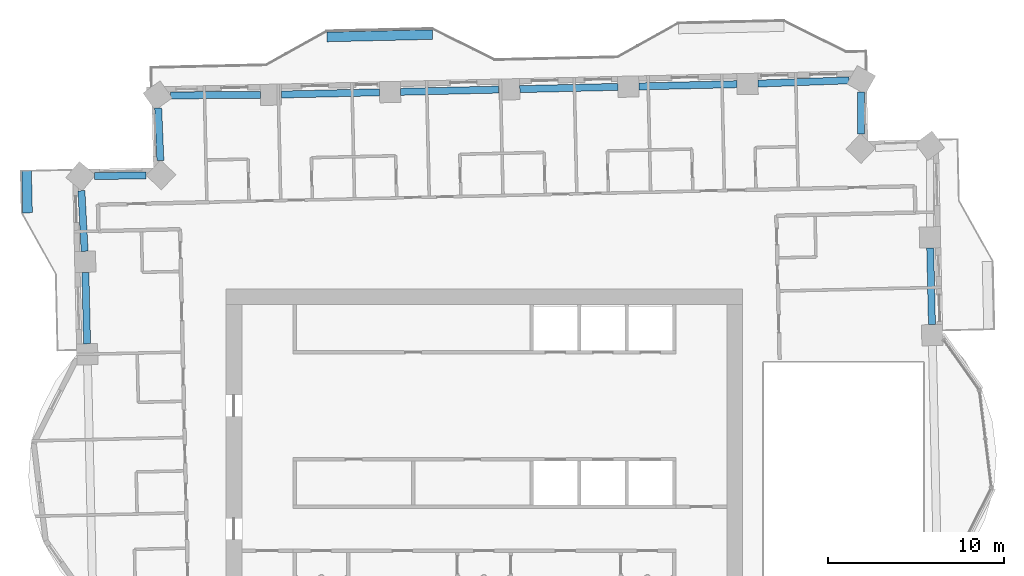
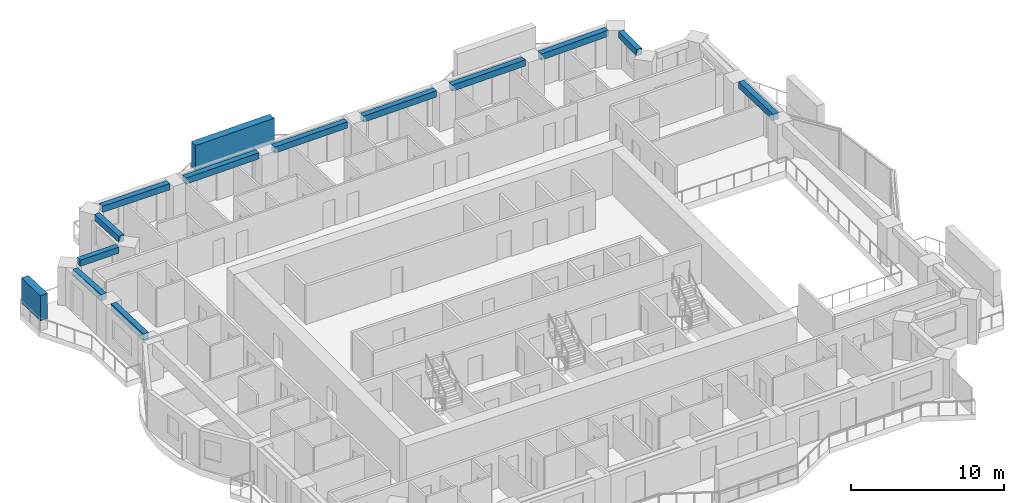
# One storey, part 3 of 16: 12 beams, 2 members.
"""IFC4 building model written with IfcOpenShell, lengths in metres."""

from ifc_helpers import new_model, si_unit, direction, frame, origin, origin_2d, place, context, subcontext, project, spatial, rectangle, extrude, material, material_profile, profile_set, type_object, element, save


model = new_model("IFC4")

# Units and contexts
model_context = context("Model", 3, precision=1e-05, world=origin(), true_north=direction((0.0, 1.0)))
body_context = subcontext(model_context, "Body", "Model", "MODEL_VIEW")
ifc_project = project(units=[si_unit("LENGTHUNIT", "METRE"), si_unit("AREAUNIT", "SQUARE_METRE"), si_unit("VOLUMEUNIT", "CUBIC_METRE"), si_unit("PLANEANGLEUNIT", "RADIAN"), si_unit("MASSUNIT", "GRAM", prefix="KILO")], contexts=[model_context])

# Site, building, storey
site_placement = place(None, origin())
site = spatial("IfcSite", under=ifc_project, at=site_placement, CompositionType="ELEMENT")
building_placement = place(site_placement, origin())
building = spatial("IfcBuilding", under=site, at=building_placement, Name="Mangrove Gate Tower", CompositionType="ELEMENT")
storey_placement = place(building_placement, frame((0.0, 0.0, 189.699951171875)))
storey = spatial("IfcBuildingStorey", under=building, at=storey_placement, Name="L48", CompositionType="ELEMENT", Elevation=189.699951171875)

# Members
ifc_material_1 = material(Name="Planting on aluminium trellis", Category="aluminium")
ifc_material_profile_1 = material_profile(ifc_material_1, rectangle(XDim=0.550048828125, YDim=2.0, at=origin_2d()))
ifc_profile_set_1 = profile_set([ifc_material_profile_1], Name="Planting on aluminium trellis")
member_type = type_object("IfcMemberType", Name="Balcony greenery screen 550x2000", PredefinedType="USERDEFINED", material=ifc_profile_set_1)
member_1_placement = place(storey_placement, frame((-8.9560546875, 26.031982421875, 1.800048828125), z_axis=(0.999743094499, 0.022665943652, 0.0), x_axis=(-0.022665943652, 0.999743094499, 0.0)))
element("IfcMember", 1, at=member_1_placement, inside=storey, type_object=member_type, Name="GREEN SCREEN L48 N1.1", ObjectType="PLANTING", PredefinedType="USERDEFINED", context=body_context, shape_type="SweptSolid", body=[
    extrude(rectangle(XDim=0.550048828125, YDim=2.0, at=origin_2d()), origin(), (0.0, 0.0, 1.0), 5.99951171875),
])
member_2_placement = place(storey_placement, frame((-25.988037109375, 16.028076171875, 1.800048828125), z_axis=(-0.022892431828, 0.999737933943, 0.0), x_axis=(-0.999737933943, -0.022892431828, 0.0)))
element("IfcMember", 2, at=member_2_placement, inside=storey, type_object=member_type, Name="GREEN SCREEN L48 W0.1", ObjectType="PLANTING", PredefinedType="USERDEFINED", context=body_context, shape_type="SweptSolid", body=[
    extrude(rectangle(XDim=0.550048828125, YDim=2.0, at=origin_2d()), origin(), (0.0, 0.0, 1.0), 2.399658203125),
])

# Beams
ifc_material_2 = material(Name="Concrete C50/60", Category="concrete")
ifc_material_profile_2 = material_profile(ifc_material_2, rectangle(XDim=0.39990234375, YDim=0.5, at=origin_2d()))
ifc_profile_set_2 = profile_set([ifc_material_profile_2], Name="Concrete C50/60")
beam_type = type_object("IfcBeamType", Name="Edge beam RC 400x500 C50/60", PredefinedType="BEAM", material=ifc_profile_set_2)
beam_1_placement = place(storey_placement, frame((25.46435546875, 9.669189453125, 2.800048828125), z_axis=(-0.022838386415, 0.999739170037, 0.0), x_axis=(-0.999739170037, -0.022838386415, 0.0)))
element("IfcBeam", 3, at=beam_1_placement, inside=storey, type_object=beam_type, Name="Edge beam L48 15", PredefinedType="BEAM", context=body_context, shape_type="SweptSolid", body=[
    extrude(rectangle(XDim=0.39990234375, YDim=0.5, at=origin_2d()), origin(), (0.0, 0.0, 1.0), 4.361572265625),
])
beam_2_placement = place(storey_placement, frame((21.41796875, 20.50390625, 2.800048828125), z_axis=(0.008133945451, 0.999966918919, 0.0), x_axis=(-0.999966918919, 0.008133945451, 0.0)))
element("IfcBeam", 4, at=beam_2_placement, inside=storey, type_object=beam_type, Name="Edge beam L48 18", PredefinedType="BEAM", context=body_context, shape_type="SweptSolid", body=[
    extrude(rectangle(XDim=0.39990234375, YDim=0.5, at=origin_2d()), origin(), (0.0, 0.0, 1.0), 2.401123046875),
])
beam_3_placement = place(storey_placement, frame((20.741455078125, 23.564453125, 2.800048828125), z_axis=(-0.99936699483, -0.03557540787, 0.0), x_axis=(0.03557540787, -0.99936699483, 0.0)))
element("IfcBeam", 5, at=beam_3_placement, inside=storey, type_object=beam_type, Name="Edge beam L48 19", PredefinedType="BEAM", context=body_context, shape_type="SweptSolid", body=[
    extrude(rectangle(XDim=0.39990234375, YDim=0.5, at=origin_2d()), origin(), (0.0, 0.0, 1.0), 5.17431640625),
])
for number, where, z_axis, x_axis, name in (
    (6, (14.370849609375, 23.345458984375, 2.800048828125), (-0.999742129115, -0.022708484617, 0.0), (0.022708484617, -0.999742129115, 0.0), "Edge beam L48 20"),
    (7, (7.5927734375, 23.19140625, 2.800048828125), (-0.999742129115, -0.022708484617, 0.0), (0.022708484617, -0.999742129115, 0.0), "Edge beam L48 21"),
    (8, (0.814697265625, 23.03759765625, 2.800048828125), (-0.999742129115, -0.022708484617, 0.0), (0.022708484617, -0.999742129115, 0.0), "Edge beam L48 22"),
):
    element("IfcBeam", number, at=place(storey_placement, frame(where, z_axis=z_axis, x_axis=x_axis)), inside=storey, type_object=beam_type, Name=name, PredefinedType="BEAM", context=body_context, shape_type="SweptSolid", body=[
        extrude(rectangle(XDim=0.39990234375, YDim=0.5, at=origin_2d()), origin(), (0.0, 0.0, 1.0), 5.579833984375),
    ])
beam_4_placement = place(storey_placement, frame((-5.96337890625, 22.883544921875, 2.800048828125), z_axis=(-0.999746153815, -0.022530599913, 0.0), x_axis=(0.022530599913, -0.999746153815, 0.0)))
element("IfcBeam", 9, at=beam_4_placement, inside=storey, type_object=beam_type, Name="Edge beam L48 23", PredefinedType="BEAM", context=body_context, shape_type="SweptSolid", body=[
    extrude(rectangle(XDim=0.39990234375, YDim=0.5, at=origin_2d()), origin(), (0.0, 0.0, 1.0), 5.58056640625),
])
beam_5_placement = place(storey_placement, frame((-12.742431640625, 22.740234375, 2.800048828125), z_axis=(-0.999977633911, -0.006688174505, 0.0), x_axis=(0.006688174505, -0.999977633911, 0.0)))
element("IfcBeam", 10, at=beam_5_placement, inside=storey, type_object=beam_type, Name="Edge beam L48 24", PredefinedType="BEAM", context=body_context, shape_type="SweptSolid", body=[
    extrude(rectangle(XDim=0.39990234375, YDim=0.5, at=origin_2d()), origin(), (0.0, 0.0, 1.0), 5.1103515625),
])
beam_6_placement = place(storey_placement, frame((-18.555908203125, 21.986083984375, 2.800048828125), z_axis=(0.041862254273, -0.999123391612, 0.0), x_axis=(0.999123391612, 0.041862254273, 0.0)))
element("IfcBeam", 11, at=beam_6_placement, inside=storey, type_object=beam_type, Name="Edge beam L48 25", PredefinedType="BEAM", context=body_context, shape_type="SweptSolid", body=[
    extrude(rectangle(XDim=0.39990234375, YDim=0.5, at=origin_2d()), origin(), (0.0, 0.0, 1.0), 2.980224609375),
])
beam_7_placement = place(storey_placement, frame((-19.2392578125, 18.162841796875, 2.800048828125), z_axis=(-0.999868543092, -0.016214084483, 0.0), x_axis=(0.016214084483, -0.999868543092, 0.0)))
element("IfcBeam", 12, at=beam_7_placement, inside=storey, type_object=beam_type, Name="Edge beam L48 26", PredefinedType="BEAM", context=body_context, shape_type="SweptSolid", body=[
    extrude(rectangle(XDim=0.39990234375, YDim=0.5, at=origin_2d()), origin(), (0.0, 0.0, 1.0), 2.936279296875),
])
beam_8_placement = place(storey_placement, frame((-22.924072265625, 17.28466796875, 2.800048828125), z_axis=(0.053067610798, -0.998590921591, 0.0), x_axis=(0.998590921591, 0.053067610798, 0.0)))
element("IfcBeam", 13, at=beam_8_placement, inside=storey, type_object=beam_type, Name="Edge beam L48 27", PredefinedType="BEAM", context=body_context, shape_type="SweptSolid", body=[
    extrude(rectangle(XDim=0.39990234375, YDim=0.5, at=origin_2d()), origin(), (0.0, 0.0, 1.0), 3.450439453125),
])
beam_9_placement = place(storey_placement, frame((-22.695556640625, 12.6396484375, 2.800048828125), z_axis=(0.022597173963, -0.999744651263, 0.0), x_axis=(0.999744651263, 0.022597173963, 0.0)))
element("IfcBeam", 14, at=beam_9_placement, inside=storey, type_object=beam_type, Name="Edge beam L48 28", PredefinedType="BEAM", context=body_context, shape_type="SweptSolid", body=[
    extrude(rectangle(XDim=0.39990234375, YDim=0.5, at=origin_2d()), origin(), (0.0, 0.0, 1.0), 4.062255859375),
])

save(model, "model.ifc")
